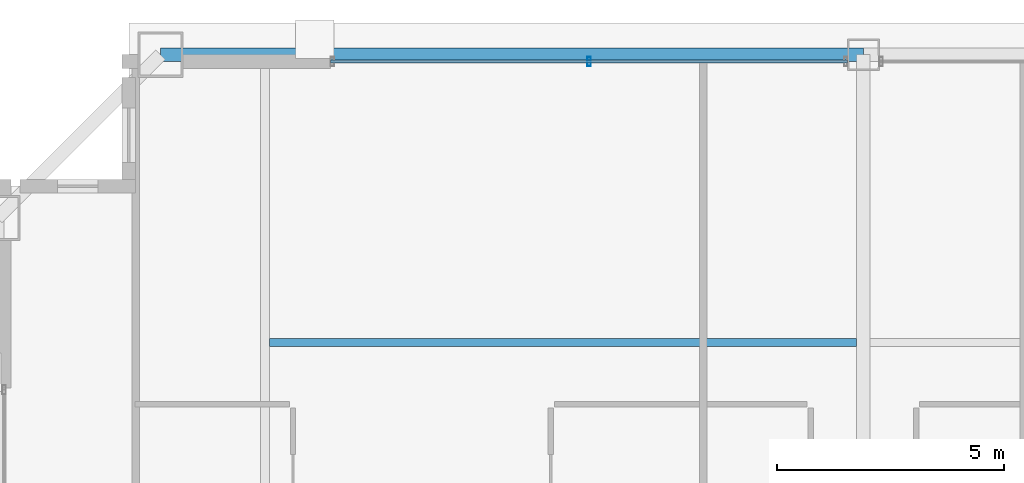
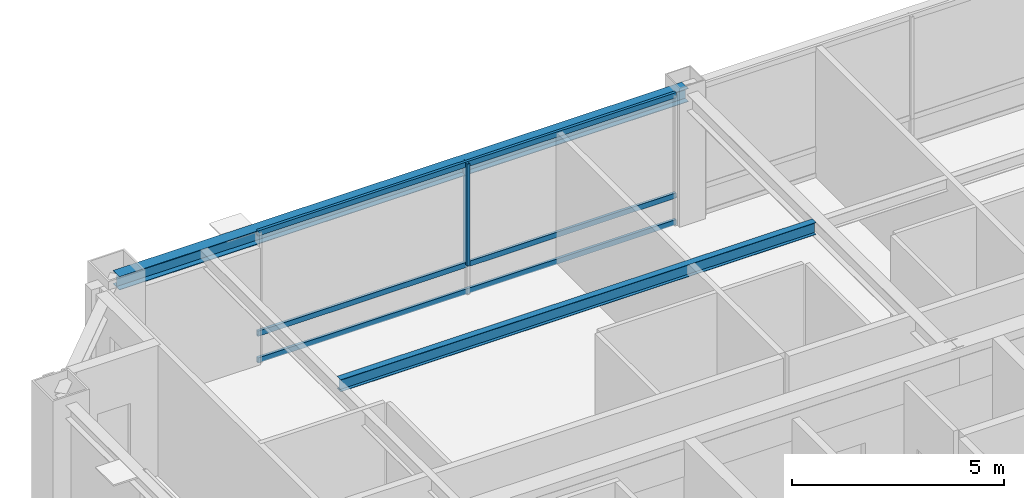
# One storey, part 17 of 34: 4 members, 2 beams, 1 element without a shape of its own.
"""IFC4 building model written with IfcOpenShell, lengths in metres."""

from ifc_helpers import new_model, si_unit, direction, frame, origin, origin_2d, place, context, subcontext, project, spatial, hollow_rectangle, i_section, extrude, source, transform, mapped, material, layer, layer_set, material_profile, profile_set, type_object, element, aggregate, save


model = new_model("IFC4")

# Units and contexts
model_context = context("Model", 3, precision=1e-05, world=origin(), true_north=direction((0.0, 1.0)))
body_context = subcontext(model_context, "Body", "Model", "MODEL_VIEW")
ifc_project = project(units=[si_unit("LENGTHUNIT", "METRE"), si_unit("AREAUNIT", "SQUARE_METRE"), si_unit("VOLUMEUNIT", "CUBIC_METRE"), si_unit("PLANEANGLEUNIT", "RADIAN"), si_unit("MASSUNIT", "GRAM", prefix="KILO"), si_unit("THERMODYNAMICTEMPERATUREUNIT", "KELVIN"), si_unit("POWERUNIT", "WATT")], contexts=[model_context])

# Site, building, storey
site_placement = place(None, origin())
site = spatial("IfcSite", under=ifc_project, at=site_placement, CompositionType="ELEMENT")
building_placement = place(site_placement, origin())
building = spatial("IfcBuilding", under=site, at=building_placement, Name="Yuzanri Waterfront Tower", CompositionType="ELEMENT")
storey_placement = place(building_placement, frame((0.0, 0.0, 339.199951171875)))
storey = spatial("IfcBuildingStorey", under=building, at=storey_placement, Name="L91", CompositionType="ELEMENT", Elevation=339.199951171875)

# Beams
ifc_material_1 = material(Name="Steel Q355B", Category="steel")
ifc_material_profile_1 = material_profile(ifc_material_1, i_section(OverallWidth=0.175048828125, OverallDepth=0.35009765625, WebThickness=0.007080078125, FlangeThickness=0.010986328125, at=origin_2d()), Name="HN 350x175x7x11")
ifc_profile_set_1 = profile_set([ifc_material_profile_1], Name="Steel Q355B")
beam_type_1 = type_object("IfcBeamType", Name="Floor Joist Q355B HN 350x175", PredefinedType="JOIST", material=ifc_profile_set_1)
shared_shape_1 = source(origin(), body_context, "Body", "SweptSolid", [
    extrude(i_section(OverallWidth=0.175048828125, OverallDepth=0.35009765625, WebThickness=0.007080078125, FlangeThickness=0.010986328125, at=origin_2d()), origin(), (0.0, 0.0, 1.0), 12.9501953125),
])
beam_1_placement = place(storey_placement, frame((23.89990234375, 38.550048828125, 3.5849609375), z_axis=(1.0, 0.0, 0.0), x_axis=(0.0, 1.0, 0.0)))
element("IfcBeam", 1, at=beam_1_placement, inside=storey, type_object=beam_type_1, Name="L91 North Bay Joist W", PredefinedType="JOIST", context=body_context, shape_type="MappedRepresentation", body=[
    mapped(shared_shape_1, transform((0.0, 0.0, 0.0), scale=1.0)),
])
ifc_material_2 = material(Name="Steel Q355B", Category="steel")
ifc_material_profile_2 = material_profile(ifc_material_2, i_section(OverallWidth=0.300048828125, OverallDepth=0.389892578125, WebThickness=0.010009765625, FlangeThickness=0.01611328125, at=origin_2d()), Name="HM 390x300x10x16")
ifc_profile_set_2 = profile_set([ifc_material_profile_2], Name="Steel Q355B")
beam_type_2 = type_object("IfcBeamType", Name="Perimeter Spandrel Q355B HM 390x300", PredefinedType="SPANDREL", material=ifc_profile_set_2)
shared_shape_2 = source(origin(), body_context, "Body", "SweptSolid", [
    extrude(i_section(OverallWidth=0.300048828125, OverallDepth=0.389892578125, WebThickness=0.010009765625, FlangeThickness=0.01611328125, at=origin_2d()), origin(), (0.0, 0.0, 1.0), 15.5),
])
beam_2_placement = place(storey_placement, frame((37.0, 44.89990234375, 3.56494140625), z_axis=(-1.0, 0.0, 0.0), x_axis=(0.0, -1.0, 0.0)))
element("IfcBeam", 2, at=beam_2_placement, inside=storey, type_object=beam_type_2, Name="L91 Perimeter Spandrel N2-N1", PredefinedType="SPANDREL", context=body_context, shape_type="MappedRepresentation", body=[
    mapped(shared_shape_2, transform((0.0, 0.0, 0.0), scale=1.0)),
])

# Curtain wall, members
ifc_material_3 = material(Name="Anodized Architectural Bronze", Category="metal")
ifc_layer = layer(ifc_material_3, 0.159912109375)
ifc_layer_set = layer_set([ifc_layer], Name="Anodized Architectural Bronze")
curtain_wall_type = type_object("IfcCurtainWallType", Name="Anodized Bronze High-Rise Penthouse High-Wind Unitized Curtain Wall 6900", PredefinedType="NOTDEFINED", material=ifc_layer_set)
curtain_wall_placement = place(storey_placement, origin())
curtain_wall = element("IfcCurtainWall", 3, at=curtain_wall_placement, inside=storey, type_object=curtain_wall_type, Name="L91 Curtain Wall CW-L91-NL", PredefinedType="NOTDEFINED")
ifc_material_4 = material(Name="Anodized Architectural Bronze", Category="metal")
ifc_material_profile_3 = material_profile(ifc_material_4, hollow_rectangle(XDim=0.074951171875, YDim=0.14990234375, WallThickness=0.00390625, at=origin_2d()), Name="CWT 75x150")
ifc_profile_set_3 = profile_set([ifc_material_profile_3], Name="Anodized Architectural Bronze")
member_type_1 = type_object("IfcMemberType", Name="Anodized Bronze Primary Curtain-Wall Transom 75x150", PredefinedType="USERDEFINED", material=ifc_profile_set_3)
shared_shape_3 = source(origin(), body_context, "Body", "SweptSolid", [
    extrude(hollow_rectangle(XDim=0.074951171875, YDim=0.14990234375, WallThickness=0.00390625, at=origin_2d()), origin(), (0.0, 0.0, 1.0), 11.39990234375),
])
member_1_placement = place(storey_placement, frame((25.25, 44.75, 0.050048828125), z_axis=(1.0, 0.0, 0.0), x_axis=(0.0, 1.0, 0.0)))
member_1 = element("IfcMember", 4, at=member_1_placement, type_object=member_type_1, Name="CW-L91-NL Transom 1", ObjectType="TRANSOM", PredefinedType="USERDEFINED", context=body_context, shape_type="MappedRepresentation", body=[
    mapped(shared_shape_3, transform((0.0, 0.0, 0.0), scale=1.0)),
])
member_2_placement = place(storey_placement, frame((25.25, 44.75, 0.820068359375), z_axis=(1.0, 0.0, 0.0), x_axis=(0.0, 1.0, 0.0)))
member_2 = element("IfcMember", 5, at=member_2_placement, type_object=member_type_1, Name="CW-L91-NL Transom 2", ObjectType="TRANSOM", PredefinedType="USERDEFINED", context=body_context, shape_type="MappedRepresentation", body=[
    mapped(shared_shape_3, transform((0.0, 0.0, 0.0), scale=1.0)),
])
member_3_placement = place(storey_placement, frame((25.25, 44.75, 3.7099609375), z_axis=(1.0, 0.0, 0.0), x_axis=(0.0, 1.0, 0.0)))
member_3 = element("IfcMember", 6, at=member_3_placement, type_object=member_type_1, Name="CW-L91-NL Transom 3", ObjectType="TRANSOM", PredefinedType="USERDEFINED", context=body_context, shape_type="MappedRepresentation", body=[
    mapped(shared_shape_3, transform((0.0, 0.0, 0.0), scale=1.0)),
])
ifc_material_5 = material(Name="Anodized Architectural Bronze", Category="metal")
ifc_material_profile_4 = material_profile(ifc_material_5, hollow_rectangle(XDim=0.074951171875, YDim=0.199951171875, WallThickness=0.00390625, at=origin_2d()), Name="CWM 75x200")
ifc_profile_set_4 = profile_set([ifc_material_profile_4], Name="Anodized Architectural Bronze")
member_type_2 = type_object("IfcMemberType", Name="Anodized Bronze Primary Curtain-Wall Mullion 75x200", PredefinedType="MULLION", material=ifc_profile_set_4)
shared_shape_4 = source(origin(), body_context, "Body", "SweptSolid", [
    extrude(hollow_rectangle(XDim=0.074951171875, YDim=0.199951171875, WallThickness=0.00390625, at=origin_2d()), origin(), (0.0, 0.0, 1.0), 2.93798828125),
])
member_4_placement = place(storey_placement, frame((30.949951171875, 44.75, 0.822021484375), z_axis=(0.0, 0.0, 1.0), x_axis=(1.0, 0.0, 0.0)))
member_4 = element("IfcMember", 7, at=member_4_placement, type_object=member_type_2, Name="CW-L91-NL Upper Mullion 01", PredefinedType="MULLION", context=body_context, shape_type="MappedRepresentation", body=[
    mapped(shared_shape_4, transform((0.0, 0.0, 0.0), scale=1.0)),
])
aggregate(curtain_wall, [member_4, member_1, member_2, member_3])

save(model, "model.ifc")
